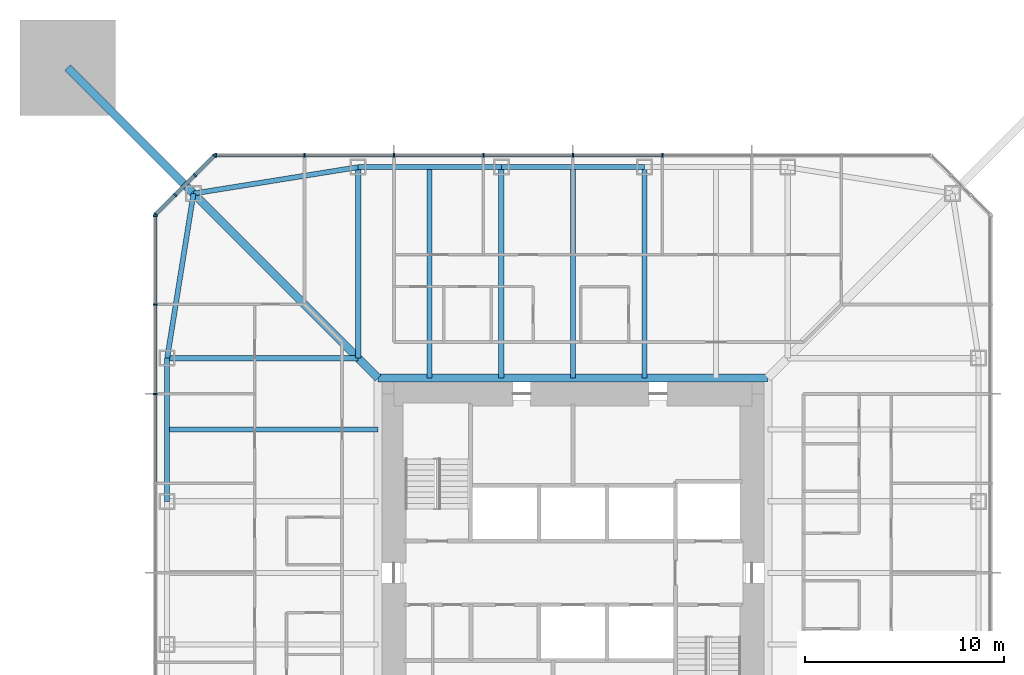
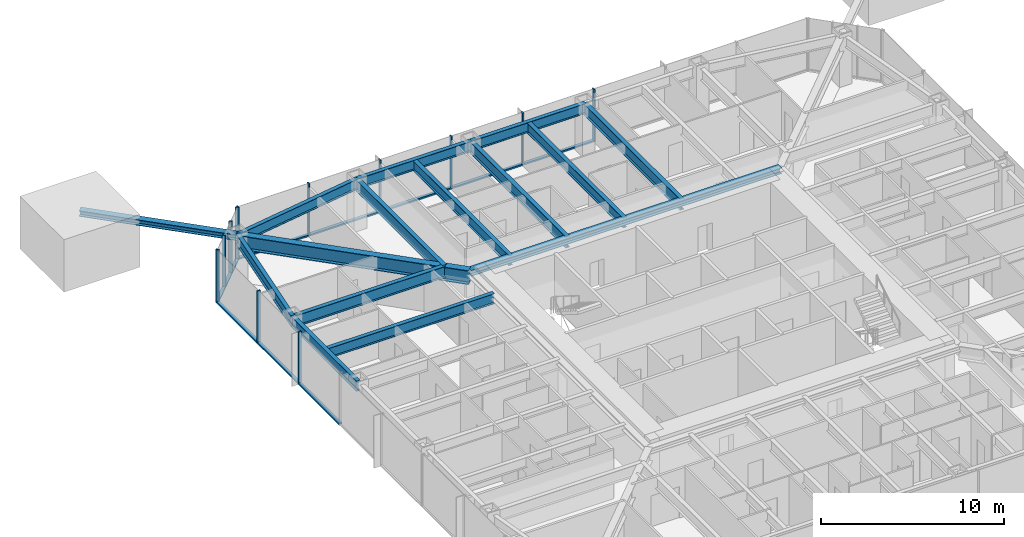
# One storey, part 6 of 25: 25 members, 14 beams, 3 elements without a shape of their own.
"""IFC4 building model written with IfcOpenShell, lengths in metres."""

from ifc_helpers import new_model, si_unit, direction, frame, origin, origin_2d, place, context, subcontext, project, spatial, rectangle, i_section, extrude, material, material_profile, profile_set, type_object, element, aggregate, save


model = new_model("IFC4")

# Units and contexts
model_context = context("Model", 3, precision=1e-05, world=origin(), true_north=direction((0.0, 1.0)))
body_context = subcontext(model_context, "Body", "Model", "MODEL_VIEW")
ifc_project = project(units=[si_unit("LENGTHUNIT", "METRE"), si_unit("AREAUNIT", "SQUARE_METRE"), si_unit("VOLUMEUNIT", "CUBIC_METRE"), si_unit("PLANEANGLEUNIT", "RADIAN"), si_unit("MASSUNIT", "GRAM", prefix="KILO")], contexts=[model_context])

# Site, building, storey
site_placement = place(None, origin())
site = spatial("IfcSite", under=ifc_project, at=site_placement, CompositionType="ELEMENT")
building_placement = place(site_placement, origin())
building = spatial("IfcBuilding", under=site, at=building_placement, Name="Iwan Alto Co-Living Towers", CompositionType="ELEMENT")
storey_placement = place(building_placement, frame((0.0, 0.0, 84.0)))
storey = spatial("IfcBuildingStorey", under=building, at=storey_placement, Name="L22", CompositionType="ELEMENT", Elevation=84.0)

# Curtain wall, members
ifc_material_1 = material(Name="Bronze aluminium unitised frame", Category="aluminium")
curtain_wall_type_1 = type_object("IfcCurtainWallType", Name="CURTAIN WALL CW-A", PredefinedType="NOTDEFINED", material=ifc_material_1)
curtain_wall_1_placement = place(storey_placement, origin())
curtain_wall_1 = element("IfcCurtainWall", 1, at=curtain_wall_1_placement, inside=storey, type_object=curtain_wall_type_1, Name="T1 curtain wall N L22", PredefinedType="NOTDEFINED")
ifc_material_2 = material(Name="Aluminium 6063-T6 bronze anodised", Category="aluminium")
ifc_material_profile_1 = material_profile(ifc_material_2, rectangle(XDim=0.199951171875, YDim=0.080078125, at=origin_2d()), Name="AL 80X200")
ifc_profile_set_1 = profile_set([ifc_material_profile_1], Name="Aluminium 6063-T6 bronze anodised")
member_type_1 = type_object("IfcMemberType", Name="CW-A MULLION 80X200", PredefinedType="MULLION", material=ifc_profile_set_1)
member_1_placement = place(storey_placement, frame((4.5, 21.0, 0.0), z_axis=(0.0, 0.0, 1.0), x_axis=(0.0, -1.0, 0.0)))
member_1 = element("IfcMember", 2, at=member_1_placement, type_object=member_type_1, Name="CW-A mullion 4", PredefinedType="MULLION", context=body_context, shape_type="SweptSolid", body=[
    extrude(rectangle(XDim=0.199951171875, YDim=0.080078125, at=origin_2d()), origin(), (0.0, 0.0, 1.0), 3.5),
])
member_2_placement = place(storey_placement, frame((0.0, 21.0, 0.0), z_axis=(0.0, 0.0, 1.0), x_axis=(0.0, -1.0, 0.0)))
member_2 = element("IfcMember", 3, at=member_2_placement, type_object=member_type_1, Name="CW-A mullion 5", PredefinedType="MULLION", context=body_context, shape_type="SweptSolid", body=[
    extrude(rectangle(XDim=0.199951171875, YDim=0.080078125, at=origin_2d()), origin(), (0.0, 0.0, 1.0), 3.5),
])
member_3_placement = place(storey_placement, frame((-4.5, 21.0, 0.0), z_axis=(0.0, 0.0, 1.0), x_axis=(0.0, -1.0, 0.0)))
member_3 = element("IfcMember", 4, at=member_3_placement, type_object=member_type_1, Name="CW-A mullion 6", PredefinedType="MULLION", context=body_context, shape_type="SweptSolid", body=[
    extrude(rectangle(XDim=0.199951171875, YDim=0.080078125, at=origin_2d()), origin(), (0.0, 0.0, 1.0), 3.5),
])
member_4_placement = place(storey_placement, frame((-9.0, 21.0, 0.0), z_axis=(0.0, 0.0, 1.0), x_axis=(0.0, -1.0, 0.0)))
member_4 = element("IfcMember", 5, at=member_4_placement, type_object=member_type_1, Name="CW-A mullion 7", PredefinedType="MULLION", context=body_context, shape_type="SweptSolid", body=[
    extrude(rectangle(XDim=0.199951171875, YDim=0.080078125, at=origin_2d()), origin(), (0.0, 0.0, 1.0), 3.5),
])
member_5_placement = place(storey_placement, frame((-13.5, 21.0, 0.0), z_axis=(0.0, 0.0, 1.0), x_axis=(0.0, -1.0, 0.0)))
member_5 = element("IfcMember", 6, at=member_5_placement, type_object=member_type_1, Name="CW-A mullion 8", PredefinedType="MULLION", context=body_context, shape_type="SweptSolid", body=[
    extrude(rectangle(XDim=0.199951171875, YDim=0.080078125, at=origin_2d()), origin(), (0.0, 0.0, 1.0), 3.5),
])
member_6_placement = place(storey_placement, frame((-17.9599609375, 21.0, 0.0), z_axis=(0.0, 0.0, 1.0), x_axis=(0.0, -1.0, 0.0)))
member_6 = element("IfcMember", 7, at=member_6_placement, type_object=member_type_1, Name="CW-A mullion 9", PredefinedType="MULLION", context=body_context, shape_type="SweptSolid", body=[
    extrude(rectangle(XDim=0.199951171875, YDim=0.080078125, at=origin_2d()), origin(), (0.0, 0.0, 1.0), 3.5),
])

curtain_wall_2_placement = place(storey_placement, origin())
curtain_wall_2 = element("IfcCurtainWall", 8, at=curtain_wall_2_placement, inside=storey, type_object=curtain_wall_type_1, Name="T1 curtain wall W L22", PredefinedType="NOTDEFINED")
member_7_placement = place(storey_placement, frame((-21.0, 17.9599609375, 0.0), z_axis=(0.0, 0.0, 1.0), x_axis=(1.0, 0.0, 0.0)))
member_7 = element("IfcMember", 9, at=member_7_placement, type_object=member_type_1, Name="CW-A mullion 1", PredefinedType="MULLION", context=body_context, shape_type="SweptSolid", body=[
    extrude(rectangle(XDim=0.199951171875, YDim=0.080078125, at=origin_2d()), origin(), (0.0, 0.0, 1.0), 3.5),
])
member_8_placement = place(storey_placement, frame((-21.0, 13.5, 0.0), z_axis=(0.0, 0.0, 1.0), x_axis=(1.0, 0.0, 0.0)))
member_8 = element("IfcMember", 10, at=member_8_placement, type_object=member_type_1, Name="CW-A mullion 2", PredefinedType="MULLION", context=body_context, shape_type="SweptSolid", body=[
    extrude(rectangle(XDim=0.199951171875, YDim=0.080078125, at=origin_2d()), origin(), (0.0, 0.0, 1.0), 3.5),
])
member_9_placement = place(storey_placement, frame((-21.0, 9.0, 0.0), z_axis=(0.0, 0.0, 1.0), x_axis=(1.0, 0.0, 0.0)))
member_9 = element("IfcMember", 11, at=member_9_placement, type_object=member_type_1, Name="CW-A mullion 3", PredefinedType="MULLION", context=body_context, shape_type="SweptSolid", body=[
    extrude(rectangle(XDim=0.199951171875, YDim=0.080078125, at=origin_2d()), origin(), (0.0, 0.0, 1.0), 3.5),
])

# Member
ifc_material_3 = material(Name="Aluminium 6063-T6 bronze anodised", Category="aluminium")
ifc_material_profile_2 = material_profile(ifc_material_3, rectangle(XDim=0.199951171875, YDim=0.10009765625, at=origin_2d()), Name="AL 200X100")
ifc_profile_set_2 = profile_set([ifc_material_profile_2], Name="Aluminium 6063-T6 bronze anodised")
member_type_2 = type_object("IfcMemberType", Name="CW-A TRANSOM 200X100", PredefinedType="USERDEFINED", material=ifc_profile_set_2)
member_10_placement = place(storey_placement, frame((4.4599609375, 21.0, 0.050048828125), z_axis=(-1.0, 0.0, 0.0), x_axis=(0.0, -1.0, 0.0)))
member_10 = element("IfcMember", 12, at=member_10_placement, type_object=member_type_2, Name="CW-A transom 4.1", ObjectType="TRANSOM", PredefinedType="USERDEFINED", context=body_context, shape_type="SweptSolid", body=[
    extrude(rectangle(XDim=0.199951171875, YDim=0.10009765625, at=origin_2d()), origin(), (0.0, 0.0, 1.0), 4.419921875),
])

member_11_placement = place(storey_placement, frame((-0.0400390625, 21.0, 0.050048828125), z_axis=(-1.0, 0.0, 0.0), x_axis=(0.0, -1.0, 0.0)))
member_11 = element("IfcMember", 13, at=member_11_placement, type_object=member_type_2, Name="CW-A transom 5.1", ObjectType="TRANSOM", PredefinedType="USERDEFINED", context=body_context, shape_type="SweptSolid", body=[
    extrude(rectangle(XDim=0.199951171875, YDim=0.10009765625, at=origin_2d()), origin(), (0.0, 0.0, 1.0), 4.419921875),
])

member_12_placement = place(storey_placement, frame((-4.5400390625, 21.0, 0.050048828125), z_axis=(-1.0, 0.0, 0.0), x_axis=(0.0, -1.0, 0.0)))
member_12 = element("IfcMember", 14, at=member_12_placement, type_object=member_type_2, Name="CW-A transom 6.1", ObjectType="TRANSOM", PredefinedType="USERDEFINED", context=body_context, shape_type="SweptSolid", body=[
    extrude(rectangle(XDim=0.199951171875, YDim=0.10009765625, at=origin_2d()), origin(), (0.0, 0.0, 1.0), 4.419921875),
])

member_13_placement = place(storey_placement, frame((-9.0400390625, 21.0, 0.050048828125), z_axis=(-1.0, 0.0, 0.0), x_axis=(0.0, -1.0, 0.0)))
member_13 = element("IfcMember", 15, at=member_13_placement, type_object=member_type_2, Name="CW-A transom 7.1", ObjectType="TRANSOM", PredefinedType="USERDEFINED", context=body_context, shape_type="SweptSolid", body=[
    extrude(rectangle(XDim=0.199951171875, YDim=0.10009765625, at=origin_2d()), origin(), (0.0, 0.0, 1.0), 4.419921875),
])

member_14_placement = place(storey_placement, frame((-13.5400390625, 21.0, 0.050048828125), z_axis=(-1.0, 0.0, 0.0), x_axis=(0.0, -1.0, 0.0)))
member_14 = element("IfcMember", 16, at=member_14_placement, type_object=member_type_2, Name="CW-A transom 8.1", ObjectType="TRANSOM", PredefinedType="USERDEFINED", context=body_context, shape_type="SweptSolid", body=[
    extrude(rectangle(XDim=0.199951171875, YDim=0.10009765625, at=origin_2d()), origin(), (0.0, 0.0, 1.0), 4.3798828125),
])

aggregate(curtain_wall_1, [member_1, member_2, member_3, member_4, member_5, member_6, member_10, member_11, member_12, member_13, member_14])

member_15_placement = place(storey_placement, frame((-21.0, 17.919921875, 0.050048828125), z_axis=(0.0, -1.0, 0.0), x_axis=(1.0, 0.0, 0.0)))
member_15 = element("IfcMember", 17, at=member_15_placement, type_object=member_type_2, Name="CW-A transom 1.1", ObjectType="TRANSOM", PredefinedType="USERDEFINED", context=body_context, shape_type="SweptSolid", body=[
    extrude(rectangle(XDim=0.199951171875, YDim=0.10009765625, at=origin_2d()), origin(), (0.0, 0.0, 1.0), 4.3798828125),
])

member_16_placement = place(storey_placement, frame((-21.0, 13.4599609375, 0.050048828125), z_axis=(0.0, -1.0, 0.0), x_axis=(1.0, 0.0, 0.0)))
member_16 = element("IfcMember", 18, at=member_16_placement, type_object=member_type_2, Name="CW-A transom 2.1", ObjectType="TRANSOM", PredefinedType="USERDEFINED", context=body_context, shape_type="SweptSolid", body=[
    extrude(rectangle(XDim=0.199951171875, YDim=0.10009765625, at=origin_2d()), origin(), (0.0, 0.0, 1.0), 4.419921875),
])

member_17_placement = place(storey_placement, frame((-21.0, 8.9599609375, 0.050048828125), z_axis=(0.0, -1.0, 0.0), x_axis=(1.0, 0.0, 0.0)))
member_17 = element("IfcMember", 19, at=member_17_placement, type_object=member_type_2, Name="CW-A transom 3.1", ObjectType="TRANSOM", PredefinedType="USERDEFINED", context=body_context, shape_type="SweptSolid", body=[
    extrude(rectangle(XDim=0.199951171875, YDim=0.10009765625, at=origin_2d()), origin(), (0.0, 0.0, 1.0), 4.419921875),
])

aggregate(curtain_wall_2, [member_7, member_8, member_9, member_15, member_16, member_17])

# Curtain wall, members
ifc_material_4 = material(Name="Bronze aluminium unitised frame", Category="aluminium")
curtain_wall_type_2 = type_object("IfcCurtainWallType", Name="CURTAIN WALL CW-B", PredefinedType="NOTDEFINED", material=ifc_material_4)
curtain_wall_3_placement = place(storey_placement, origin())
curtain_wall_3 = element("IfcCurtainWall", 20, at=curtain_wall_3_placement, inside=storey, type_object=curtain_wall_type_2, Name="T1 chamfer curtain wall NW L22", PredefinedType="NOTDEFINED")
ifc_material_5 = material(Name="Aluminium 6063-T6 bronze anodised", Category="aluminium")
ifc_material_profile_3 = material_profile(ifc_material_5, rectangle(XDim=0.199951171875, YDim=0.080078125, at=origin_2d()), Name="AL 80X200")
ifc_profile_set_3 = profile_set([ifc_material_profile_3], Name="Aluminium 6063-T6 bronze anodised")
member_type_3 = type_object("IfcMemberType", Name="CW-B MULLION 80X200", PredefinedType="MULLION", material=ifc_profile_set_3)
member_18_placement = place(storey_placement, frame((-18.0283203125, 20.9716796875, 0.0), z_axis=(0.0, 0.0, 1.0), x_axis=(0.707106781187, -0.707106781187, 0.0)))
member_18 = element("IfcMember", 21, at=member_18_placement, type_object=member_type_3, Name="CW-B mullion 1", PredefinedType="MULLION", context=body_context, shape_type="SweptSolid", body=[
    extrude(rectangle(XDim=0.199951171875, YDim=0.080078125, at=origin_2d()), origin(), (0.0, 0.0, 1.0), 3.5),
])
member_19_placement = place(storey_placement, frame((-19.0, 20.0, 0.0), z_axis=(0.0, 0.0, 1.0), x_axis=(0.707106781187, -0.707106781187, 0.0)))
member_19 = element("IfcMember", 22, at=member_19_placement, type_object=member_type_3, Name="CW-B mullion 2", PredefinedType="MULLION", context=body_context, shape_type="SweptSolid", body=[
    extrude(rectangle(XDim=0.199951171875, YDim=0.080078125, at=origin_2d()), origin(), (0.0, 0.0, 1.0), 3.5),
])
member_20_placement = place(storey_placement, frame((-20.0, 19.0, 0.0), z_axis=(0.0, 0.0, 1.0), x_axis=(0.707106781187, -0.707106781187, 0.0)))
member_20 = element("IfcMember", 23, at=member_20_placement, type_object=member_type_3, Name="CW-B mullion 3", PredefinedType="MULLION", context=body_context, shape_type="SweptSolid", body=[
    extrude(rectangle(XDim=0.199951171875, YDim=0.080078125, at=origin_2d()), origin(), (0.0, 0.0, 1.0), 3.5),
])
member_21_placement = place(storey_placement, frame((-20.9716796875, 18.0283203125, 0.0), z_axis=(0.0, 0.0, 1.0), x_axis=(0.707106781187, -0.707106781187, 0.0)))
member_21 = element("IfcMember", 24, at=member_21_placement, type_object=member_type_3, Name="CW-B mullion 4", PredefinedType="MULLION", context=body_context, shape_type="SweptSolid", body=[
    extrude(rectangle(XDim=0.199951171875, YDim=0.080078125, at=origin_2d()), origin(), (0.0, 0.0, 1.0), 3.5),
])
ifc_material_6 = material(Name="Aluminium 6063-T6 bronze anodised", Category="aluminium")
ifc_material_profile_4 = material_profile(ifc_material_6, rectangle(XDim=0.199951171875, YDim=0.10009765625, at=origin_2d()), Name="AL 200X100")
ifc_profile_set_4 = profile_set([ifc_material_profile_4], Name="Aluminium 6063-T6 bronze anodised")
member_type_4 = type_object("IfcMemberType", Name="CW-B TRANSOM 200X100", PredefinedType="USERDEFINED", material=ifc_profile_set_4)
member_22_placement = place(storey_placement, frame((-18.056640625, 20.943359375, 0.050048828125), z_axis=(-0.707106781187, -0.707106781187, 0.0), x_axis=(0.707106781187, -0.707106781187, 0.0)))
member_22 = element("IfcMember", 25, at=member_22_placement, type_object=member_type_4, Name="CW-B transom 1.1", ObjectType="TRANSOM", PredefinedType="USERDEFINED", context=body_context, shape_type="SweptSolid", body=[
    extrude(rectangle(XDim=0.199951171875, YDim=0.10009765625, at=origin_2d()), origin(), (0.0, 0.0, 1.0), 1.2939453125),
])
member_23_placement = place(storey_placement, frame((-19.0283203125, 19.9716796875, 0.050048828125), z_axis=(-0.707106781187, -0.707106781187, 0.0), x_axis=(0.707106781187, -0.707106781187, 0.0)))
member_23 = element("IfcMember", 26, at=member_23_placement, type_object=member_type_4, Name="CW-B transom 2.1", ObjectType="TRANSOM", PredefinedType="USERDEFINED", context=body_context, shape_type="SweptSolid", body=[
    extrude(rectangle(XDim=0.199951171875, YDim=0.10009765625, at=origin_2d()), origin(), (0.0, 0.0, 1.0), 1.334228515625),
])
member_24_placement = place(storey_placement, frame((-20.0283203125, 18.9716796875, 0.050048828125), z_axis=(-0.707106781187, -0.707106781187, 0.0), x_axis=(0.707106781187, -0.707106781187, 0.0)))
member_24 = element("IfcMember", 27, at=member_24_placement, type_object=member_type_4, Name="CW-B transom 3.1", ObjectType="TRANSOM", PredefinedType="USERDEFINED", context=body_context, shape_type="SweptSolid", body=[
    extrude(rectangle(XDim=0.199951171875, YDim=0.10009765625, at=origin_2d()), origin(), (0.0, 0.0, 1.0), 1.2939453125),
])
aggregate(curtain_wall_3, [member_18, member_19, member_20, member_21, member_22, member_23, member_24])

# Beams
ifc_material_7 = material(Name="Steel ASTM A992 Gr 50", Category="steel")
ifc_material_profile_5 = material_profile(ifc_material_7, i_section(OverallWidth=0.398681640625, OverallDepth=0.385986328125, WebThickness=0.02099609375, FlangeThickness=0.033203125, at=origin_2d()), Name="W14X176")
ifc_profile_set_5 = profile_set([ifc_material_profile_5], Name="Steel ASTM A992 Gr 50")
beam_type_1 = type_object("IfcBeamType", Name="T1 CORE LEDGER BEAM W14X176", PredefinedType="BEAM", material=ifc_profile_set_5)
beam_1_placement = place(storey_placement, frame((9.79931640625, 9.79931640625, 3.076904296875), z_axis=(-1.0, 0.0, 0.0), x_axis=(0.0, -1.0, 0.0)))
element("IfcBeam", 28, at=beam_1_placement, inside=storey, type_object=beam_type_1, Name="T1 core ledger beam N L23", PredefinedType="BEAM", context=body_context, shape_type="SweptSolid", body=[
    extrude(i_section(OverallWidth=0.398681640625, OverallDepth=0.385986328125, WebThickness=0.02099609375, FlangeThickness=0.033203125, at=origin_2d()), origin(), (0.0, 0.0, 1.0), 19.5986328125),
])
ifc_material_8 = material(Name="Steel ASTM A992 Gr 50", Category="steel")
ifc_material_profile_6 = material_profile(ifc_material_8, i_section(OverallWidth=0.419189453125, OverallDepth=0.927001953125, WebThickness=0.019287109375, FlangeThickness=0.031982421875, at=origin_2d()), Name="W36X231")
ifc_profile_set_6 = profile_set([ifc_material_profile_6], Name="Steel ASTM A992 Gr 50")
beam_type_2 = type_object("IfcBeamType", Name="T1 CORNER GIRDER W36X231", PredefinedType="BEAM", material=ifc_profile_set_6)
beam_2_placement = place(storey_placement, frame((-19.07568359375, 19.07568359375, 2.806396484375), z_axis=(0.707106781187, -0.707106781187, 0.0), x_axis=(0.707106781187, 0.707106781187, 0.0)))
element("IfcBeam", 29, at=beam_2_placement, inside=storey, type_object=beam_type_2, Name="T1 corner girder CNW L23", PredefinedType="BEAM", context=body_context, shape_type="SweptSolid", body=[
    extrude(i_section(OverallWidth=0.419189453125, OverallDepth=0.927001953125, WebThickness=0.019287109375, FlangeThickness=0.031982421875, at=origin_2d()), origin(), (0.0, 0.0, 1.0), 13.11865234375),
])
ifc_material_9 = material(Name="Steel ASTM A992 Gr 50", Category="steel")
ifc_material_profile_7 = material_profile(ifc_material_9, i_section(OverallWidth=0.25390625, OverallDepth=0.683349609375, WebThickness=0.012451171875, FlangeThickness=0.018798828125, at=origin_2d()), Name="W27X94")
ifc_profile_set_7 = profile_set([ifc_material_profile_7], Name="Steel ASTM A992 Gr 50")
beam_type_3 = type_object("IfcBeamType", Name="T1 EDGE BEAM W27X94", PredefinedType="BEAM", material=ifc_profile_set_7)
beam_3_placement = place(storey_placement, frame((3.60009765625, 20.39990234375, 2.928466796875), z_axis=(-1.0, 0.0, 0.0), x_axis=(0.0, -1.0, 0.0)))
element("IfcBeam", 30, at=beam_3_placement, inside=storey, type_object=beam_type_3, Name="T1 edge beam N2 L23", PredefinedType="BEAM", context=body_context, shape_type="SweptSolid", body=[
    extrude(i_section(OverallWidth=0.25390625, OverallDepth=0.683349609375, WebThickness=0.012451171875, FlangeThickness=0.018798828125, at=origin_2d()), origin(), (0.0, 0.0, 1.0), 7.2001953125),
])
beam_4_placement = place(storey_placement, frame((-3.60009765625, 20.39990234375, 2.928466796875), z_axis=(-1.0, 0.0, 0.0), x_axis=(0.0, -1.0, 0.0)))
element("IfcBeam", 31, at=beam_4_placement, inside=storey, type_object=beam_type_3, Name="T1 edge beam N3 L23", PredefinedType="BEAM", context=body_context, shape_type="SweptSolid", body=[
    extrude(i_section(OverallWidth=0.25390625, OverallDepth=0.683349609375, WebThickness=0.012451171875, FlangeThickness=0.018798828125, at=origin_2d()), origin(), (0.0, 0.0, 1.0), 7.199951171875),
])
for number, where, z_axis, x_axis, name in (
    (32, (-10.800048828125, 20.39990234375, 2.928466796875), (-0.987438450439, -0.158004134737, 0.0), (0.158004134737, -0.987438450439, 0.0), "T1 edge beam N4 L23"),
    (33, (-19.07568359375, 19.07568359375, 2.928466796875), (-0.158004134737, -0.987438450439, 0.0), (0.987438450439, -0.158004134737, 0.0), "T1 edge beam CNW L23"),
):
    element("IfcBeam", number, at=place(storey_placement, frame(where, z_axis=z_axis, x_axis=x_axis)), inside=storey, type_object=beam_type_3, Name=name, PredefinedType="BEAM", context=body_context, shape_type="SweptSolid", body=[
        extrude(i_section(OverallWidth=0.25390625, OverallDepth=0.683349609375, WebThickness=0.012451171875, FlangeThickness=0.018798828125, at=origin_2d()), origin(), (0.0, 0.0, 1.0), 8.380859375),
    ])
beam_5_placement = place(storey_placement, frame((-20.39990234375, 10.800048828125, 2.928466796875), z_axis=(0.0, -1.0, 0.0), x_axis=(1.0, 0.0, 0.0)))
element("IfcBeam", 34, at=beam_5_placement, inside=storey, type_object=beam_type_3, Name="T1 edge beam W1 L23", PredefinedType="BEAM", context=body_context, shape_type="SweptSolid", body=[
    extrude(i_section(OverallWidth=0.25390625, OverallDepth=0.683349609375, WebThickness=0.012451171875, FlangeThickness=0.018798828125, at=origin_2d()), origin(), (0.0, 0.0, 1.0), 7.199951171875),
])

# Member
ifc_material_10 = material(Name="Steel ASTM A992 Gr 50", Category="steel")
ifc_material_profile_8 = material_profile(ifc_material_10, i_section(OverallWidth=0.393798828125, OverallDepth=0.3759765625, WebThickness=0.017333984375, FlangeThickness=0.027587890625, at=origin_2d()), Name="W14X145")
ifc_profile_set_8 = profile_set([ifc_material_profile_8], Name="Steel ASTM A992 Gr 50")
member_type_5 = type_object("IfcMemberType", Name="T1 MEGA COLUMN FLOOR TIE W14X145", PredefinedType="STRUT", material=ifc_profile_set_8)
member_25_placement = place(storey_placement, frame((-25.39990234375, 25.39990234375, 3.08203125), z_axis=(0.707106781187, -0.707106781187, 0.0), x_axis=(0.707106781187, 0.707106781187, 0.0)))
element("IfcMember", 35, at=member_25_placement, inside=storey, type_object=member_type_5, Name="T1 mega column floor tie NW L23", PredefinedType="STRUT", context=body_context, shape_type="SweptSolid", body=[
    extrude(i_section(OverallWidth=0.393798828125, OverallDepth=0.3759765625, WebThickness=0.017333984375, FlangeThickness=0.027587890625, at=origin_2d()), origin(), (0.0, 0.0, 1.0), 8.94384765625),
])

# Beams
ifc_material_11 = material(Name="Steel ASTM A992 Gr 50", Category="steel")
ifc_material_profile_9 = material_profile(ifc_material_11, i_section(OverallWidth=0.2666015625, OverallDepth=0.761962890625, WebThickness=0.014404296875, FlangeThickness=0.021484375, at=origin_2d()), Name="W30X116")
ifc_profile_set_9 = profile_set([ifc_material_profile_9], Name="Steel ASTM A992 Gr 50")
beam_type_4 = type_object("IfcBeamType", Name="T1 RADIAL BEAM W30X116", PredefinedType="BEAM", material=ifc_profile_set_9)
for number, where, z_axis, x_axis, name in (
    (36, (3.60009765625, 20.39990234375, 2.888916015625), (0.0, -1.0, 0.0), (1.0, 0.0, 0.0), "T1 radial beam N2 L23"),
    (37, (-3.60009765625, 20.39990234375, 2.888916015625), (0.0, -1.0, 0.0), (1.0, 0.0, 0.0), "T1 radial beam N3 L23"),
):
    element("IfcBeam", number, at=place(storey_placement, frame(where, z_axis=z_axis, x_axis=x_axis)), inside=storey, type_object=beam_type_4, Name=name, PredefinedType="BEAM", context=body_context, shape_type="SweptSolid", body=[
        extrude(i_section(OverallWidth=0.2666015625, OverallDepth=0.761962890625, WebThickness=0.014404296875, FlangeThickness=0.021484375, at=origin_2d()), origin(), (0.0, 0.0, 1.0), 10.6005859375),
    ])
for number, where, z_axis, x_axis, name in (
    (38, (-10.800048828125, 20.39990234375, 2.888916015625), (0.0, -1.0, 0.0), (1.0, 0.0, 0.0), "T1 radial beam N4 L23"),
    (39, (-20.39990234375, 10.800048828125, 2.888916015625), (1.0, 0.0, 0.0), (0.0, 1.0, 0.0), "T1 radial beam W1 L23"),
):
    element("IfcBeam", number, at=place(storey_placement, frame(where, z_axis=z_axis, x_axis=x_axis)), inside=storey, type_object=beam_type_4, Name=name, PredefinedType="BEAM", context=body_context, shape_type="SweptSolid", body=[
        extrude(i_section(OverallWidth=0.2666015625, OverallDepth=0.761962890625, WebThickness=0.014404296875, FlangeThickness=0.021484375, at=origin_2d()), origin(), (0.0, 0.0, 1.0), 9.599853515625),
    ])
ifc_material_12 = material(Name="Steel ASTM A992 Gr 50", Category="steel")
ifc_material_profile_10 = material_profile(ifc_material_12, i_section(OverallWidth=0.25390625, OverallDepth=0.683349609375, WebThickness=0.012451171875, FlangeThickness=0.018798828125, at=origin_2d()), Name="W27X94")
ifc_profile_set_10 = profile_set([ifc_material_profile_10], Name="Steel ASTM A992 Gr 50")
beam_type_5 = type_object("IfcBeamType", Name="T1 SECONDARY BEAM W27X94", PredefinedType="JOIST", material=ifc_profile_set_10)
for number, where, z_axis, x_axis, name in (
    (40, (0.0, 20.39990234375, 2.928466796875), (0.0, -1.0, 0.0), (1.0, 0.0, 0.0), "T1 secondary beam N2 L23"),
    (41, (-7.199951171875, 20.39990234375, 2.928466796875), (0.0, -1.0, 0.0), (1.0, 0.0, 0.0), "T1 secondary beam N3 L23"),
    (42, (-20.39990234375, 7.199951171875, 2.928466796875), (1.0, 0.0, 0.0), (0.0, 1.0, 0.0), "T1 secondary beam W1 L23"),
):
    element("IfcBeam", number, at=place(storey_placement, frame(where, z_axis=z_axis, x_axis=x_axis)), inside=storey, type_object=beam_type_5, Name=name, PredefinedType="JOIST", context=body_context, shape_type="SweptSolid", body=[
        extrude(i_section(OverallWidth=0.25390625, OverallDepth=0.683349609375, WebThickness=0.012451171875, FlangeThickness=0.018798828125, at=origin_2d()), origin(), (0.0, 0.0, 1.0), 10.6005859375),
    ])

save(model, "model.ifc")
